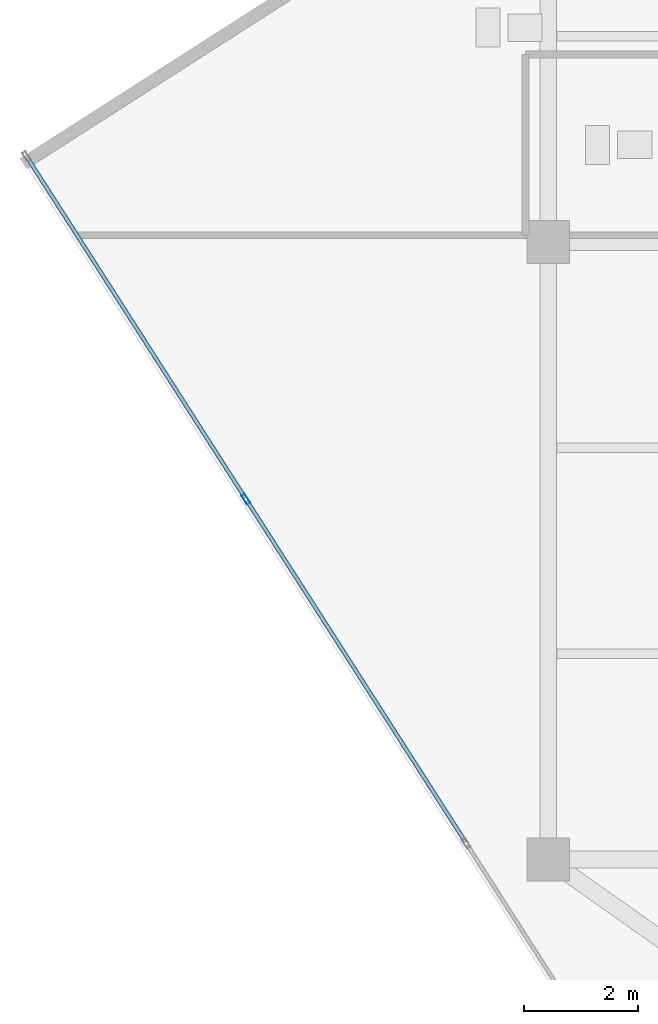
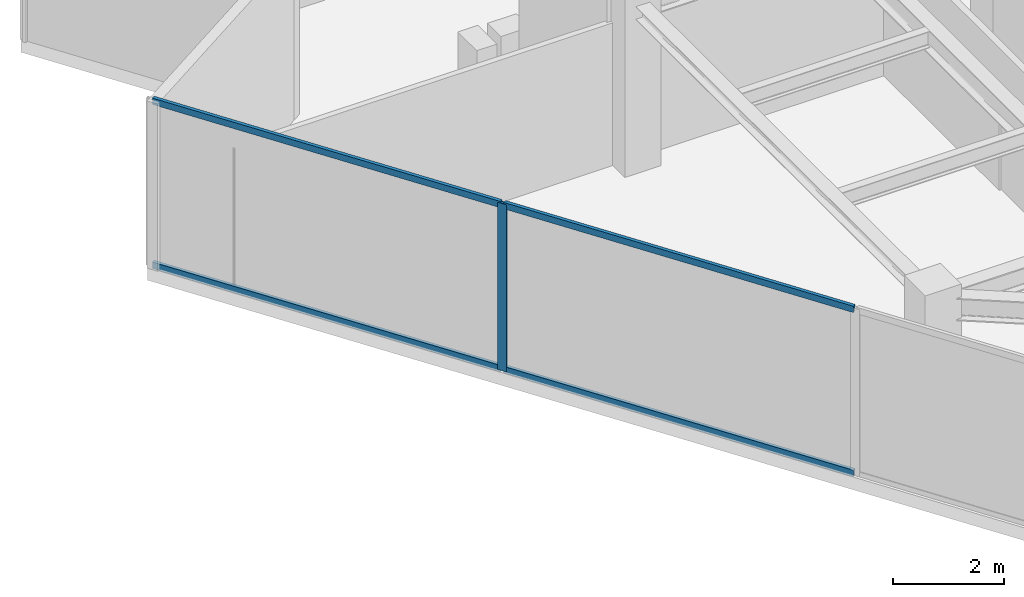
# One storey, part 4 of 20: 5 members, 1 element without a shape of its own.
"""IFC4 building model written with IfcOpenShell, lengths in metres."""

from ifc_helpers import new_model, si_unit, direction, frame, origin, origin_2d, place, context, subcontext, project, spatial, hollow_rectangle, extrude, source, transform, mapped, material, material_profile, profile_set, type_object, type_shapes, element, aggregate, save


model = new_model("IFC4")

# Units and contexts
model_context = context("Model", 3, precision=1e-05, world=origin(), true_north=direction((0.0, 1.0)))
body_context = subcontext(model_context, "Body", "Model", "MODEL_VIEW")
ifc_project = project(units=[si_unit("LENGTHUNIT", "METRE"), si_unit("AREAUNIT", "SQUARE_METRE"), si_unit("VOLUMEUNIT", "CUBIC_METRE"), si_unit("PLANEANGLEUNIT", "RADIAN"), si_unit("MASSUNIT", "GRAM", prefix="KILO")], contexts=[model_context])

# Site, building, storey
site_placement = place(None, origin())
site = spatial("IfcSite", under=ifc_project, at=site_placement, CompositionType="ELEMENT")
building_placement = place(site_placement, origin())
building = spatial("IfcBuilding", under=site, at=building_placement, Name="Krantzveldt Concourse Tower", CompositionType="ELEMENT")
storey_placement = place(building_placement, frame((0.0, 0.0, 283.199951171875)))
storey = spatial("IfcBuildingStorey", under=building, at=storey_placement, Name="L69", CompositionType="ELEMENT", Elevation=283.199951171875)

# Curtain wall, members
ifc_material = material(Name="Anodised aluminium 6063-T6", Category="aluminium")
curtain_wall_type = type_object("IfcCurtainWallType", Name="CW4", PredefinedType="USERDEFINED", material=ifc_material)
curtain_wall_placement = place(storey_placement, origin())
curtain_wall = element("IfcCurtainWall", 1, at=curtain_wall_placement, inside=storey, type_object=curtain_wall_type, Name="CW-L69-F04", ObjectType="UNITISED CURTAIN WALL", PredefinedType="USERDEFINED")
ifc_material_profile_1 = material_profile(ifc_material, hollow_rectangle(XDim=0.070068359375, YDim=0.179931640625, WallThickness=0.0048828125, at=origin_2d()), Name="Anodised aluminium 6063-T6", Category="aluminium")
ifc_profile_set_1 = profile_set([ifc_material_profile_1], Name="Anodised aluminium 6063-T6 - ALU-MULL 180x70x5")
member_type_1 = type_object("IfcMemberType", Name="CW-MUL-180", PredefinedType="MULLION", material=ifc_profile_set_1)
shared_shape_1 = source(origin(), body_context, "Body", "SweptSolid", [
    extrude(hollow_rectangle(XDim=0.070068359375, YDim=0.179931640625, WallThickness=0.0048828125, at=origin_2d()), origin(), (0.0, 0.0, 1.0), 3.670166015625),
])
type_shapes(member_type_1, [shared_shape_1])
member_1_placement = place(storey_placement, frame((15.71337890625, 22.203369140625, 0.0), z_axis=(0.0, 0.0, 1.0), x_axis=(0.842217243088, 0.53913830827, 0.0)))
member_1 = element("IfcMember", 2, at=member_1_placement, type_object=member_type_1, Name="CW-Z56 mullion 2", PredefinedType="MULLION", context=body_context, shape_type="MappedRepresentation", body=[
    mapped(shared_shape_1, transform((0.0, 0.0, 0.0), x_axis=(1.0, 0.0, 0.0), y_axis=(0.0, 1.0, 0.0), z_axis=(0.0, 0.0, 1.0), scale=1.0)),
])
ifc_material_profile_2 = material_profile(ifc_material, hollow_rectangle(XDim=0.070068359375, YDim=0.139892578125, WallThickness=0.0048828125, at=origin_2d()), Name="Anodised aluminium 6063-T6", Category="aluminium")
ifc_profile_set_2 = profile_set([ifc_material_profile_2], Name="Anodised aluminium 6063-T6 - ALU-TRAN 140x70x5")
member_type_2 = type_object("IfcMemberType", Name="CW-TRN-150", PredefinedType="USERDEFINED", material=ifc_profile_set_2)
shared_shape_2 = source(origin(), body_context, "Body", "SweptSolid", [
    extrude(hollow_rectangle(XDim=0.070068359375, YDim=0.139892578125, WallThickness=0.0048828125, at=origin_2d()), origin(), (0.0, 0.0, 1.0), 7.080078125),
])
member_2_placement = place(storey_placement, frame((15.732421875, 22.173828125, 0.03515625), z_axis=(0.539142738786, -0.842214406915, 0.0), x_axis=(0.842214406915, 0.539142738786, 0.0)))
member_2 = element("IfcMember", 3, at=member_2_placement, type_object=member_type_2, Name="CW-Z56 transom 2.1", ObjectType="TRANSOM", PredefinedType="USERDEFINED", context=body_context, shape_type="MappedRepresentation", body=[
    mapped(shared_shape_2, transform((0.0, 0.0, 0.0), x_axis=(1.0, 0.0, 0.0), y_axis=(0.0, 1.0, 0.0), z_axis=(0.0, 0.0, 1.0), scale=1.0)),
])
member_3_placement = place(storey_placement, frame((15.732421875, 22.173828125, 3.635009765625), z_axis=(0.539142738786, -0.842214406915, 0.0), x_axis=(0.842214406915, 0.539142738786, 0.0)))
member_3 = element("IfcMember", 4, at=member_3_placement, type_object=member_type_2, Name="CW-Z56 transom 2.2", ObjectType="TRANSOM", PredefinedType="USERDEFINED", context=body_context, shape_type="MappedRepresentation", body=[
    mapped(shared_shape_2, transform((0.0, 0.0, 0.0), x_axis=(1.0, 0.0, 0.0), y_axis=(0.0, 1.0, 0.0), z_axis=(0.0, 0.0, 1.0), scale=1.0)),
])
shared_shape_3 = source(origin(), body_context, "Body", "SweptSolid", [
    extrude(hollow_rectangle(XDim=0.070068359375, YDim=0.139892578125, WallThickness=0.0048828125, at=origin_2d()), origin(), (0.0, 0.0, 1.0), 7.045166015625),
])
type_shapes(member_type_2, [shared_shape_2, shared_shape_3])
member_4_placement = place(storey_placement, frame((11.896484375, 28.166259765625, 0.03515625), z_axis=(0.539113680854, -0.842233007615, 0.0), x_axis=(0.842233007615, 0.539113680854, 0.0)))
member_4 = element("IfcMember", 5, at=member_4_placement, type_object=member_type_2, Name="CW-Z56 transom 1.1", ObjectType="TRANSOM", PredefinedType="USERDEFINED", context=body_context, shape_type="MappedRepresentation", body=[
    mapped(shared_shape_3, transform((0.0, 0.0, 0.0), x_axis=(1.0, 0.0, 0.0), y_axis=(0.0, 1.0, 0.0), z_axis=(0.0, 0.0, 1.0), scale=1.0)),
])
member_5_placement = place(storey_placement, frame((11.896484375, 28.166259765625, 3.635009765625), z_axis=(0.539113680854, -0.842233007615, 0.0), x_axis=(0.842233007615, 0.539113680854, 0.0)))
member_5 = element("IfcMember", 6, at=member_5_placement, type_object=member_type_2, Name="CW-Z56 transom 1.2", ObjectType="TRANSOM", PredefinedType="USERDEFINED", context=body_context, shape_type="MappedRepresentation", body=[
    mapped(shared_shape_3, transform((0.0, 0.0, 0.0), x_axis=(1.0, 0.0, 0.0), y_axis=(0.0, 1.0, 0.0), z_axis=(0.0, 0.0, 1.0), scale=1.0)),
])
aggregate(curtain_wall, [member_1, member_4, member_5, member_2, member_3])

save(model, "model.ifc")
